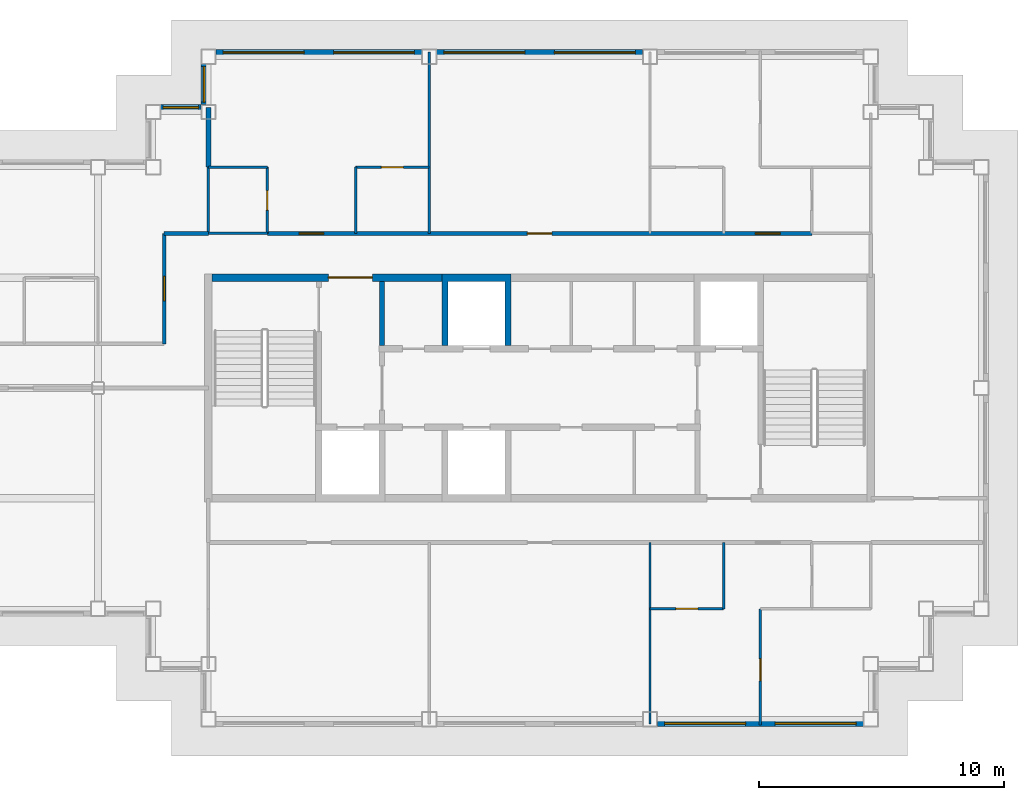
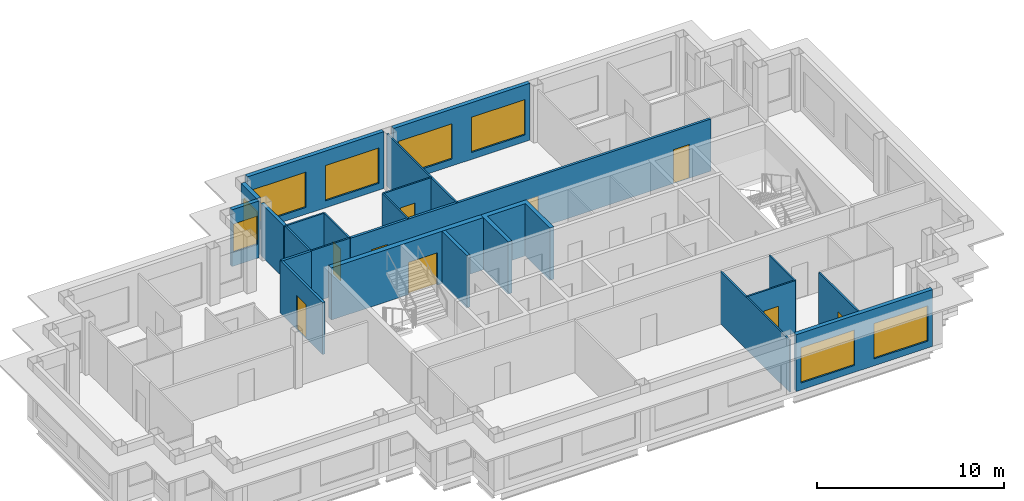
# One storey, part 4 of 11: 23 walls, 9 doors, 8 windows, 17 openings.
"""IFC4 building model written with IfcOpenShell, lengths in metres."""

from ifc_helpers import new_model, si_unit, direction, frame, frame_2d, origin, place, context, subcontext, project, spatial, polyline, rectangle, outline, extrude, material, layer, layer_set, type_object, element, fill, save


model = new_model("IFC4")

# Units and contexts
model_context = context("Model", 3, precision=1e-05, world=origin(), true_north=direction((0.0, 1.0)))
body_context = subcontext(model_context, "Body", "Model", "MODEL_VIEW")
ifc_project = project(units=[si_unit("LENGTHUNIT", "METRE"), si_unit("AREAUNIT", "SQUARE_METRE"), si_unit("VOLUMEUNIT", "CUBIC_METRE"), si_unit("PLANEANGLEUNIT", "RADIAN"), si_unit("MASSUNIT", "GRAM", prefix="KILO")], contexts=[model_context])

# Site, building, storey
site_placement = place(None, origin())
site = spatial("IfcSite", under=ifc_project, at=site_placement, CompositionType="ELEMENT")
building_placement = place(site_placement, origin())
building = spatial("IfcBuilding", under=site, at=building_placement, Name="Caravel Reach Hotel and Residences", CompositionType="ELEMENT")
storey_placement = place(building_placement, frame((0.0, 0.0, 260.10009765625)))
storey = spatial("IfcBuildingStorey", under=building, at=storey_placement, Name="L66", CompositionType="ELEMENT", Elevation=260.10009765625)

# Walls
ifc_material_1 = material(Name="Gypsum board on steel stud", Category="steel")
ifc_layer_1 = layer(ifc_material_1, 0.10009765625)
ifc_layer_set_1 = layer_set([ifc_layer_1], Name="Bathroom pod wall 100 mm")
wall_type_1 = type_object("IfcWallType", Name="Bathroom pod wall 100 mm", PredefinedType="PARTITIONING", material=ifc_layer_set_1)
for number, where, z_axis, x_axis, name in (
    (1, (18.0, 33.300048828125, 0.0), (0.0, 0.0, 1.0), (1.0, 0.0, 0.0), "L66 wall w054"),
    (2, (18.0, 36.0, 0.0), (0.0, 0.0, 1.0), (1.0, 0.0, 0.0), "L66 wall w056"),
):
    element("IfcWall", number, at=place(storey_placement, frame(where, z_axis=z_axis, x_axis=x_axis)), inside=storey, type_object=wall_type_1, Name=name, PredefinedType="PARTITIONING", context=body_context, shape_type="SweptSolid", body=[
        extrude(rectangle(XDim=2.39990234375, YDim=0.10009765625, at=frame_2d((1.199951171875, 0.0))), origin(), (0.0, 0.0, 1.0), 3.39990234375),
    ])
wall_1_placement = place(storey_placement, frame((18.0, 33.301025390625, 0.0), z_axis=(0.0, 0.0, 1.0), x_axis=(0.0, 1.0, 0.0)))
element("IfcWall", 3, at=wall_1_placement, inside=storey, type_object=wall_type_1, Name="L66 wall w058", PredefinedType="PARTITIONING", context=body_context, shape_type="SweptSolid", body=[
    extrude(rectangle(XDim=2.698974609375, YDim=0.10009765625, at=frame_2d((1.349609375, 0.0))), origin(), (0.0, 0.0, 1.0), 3.39990234375),
])

# Wall, opening, door
wall_2_placement = place(storey_placement, frame((20.39990234375, 33.300048828125, 0.0), z_axis=(0.0, 0.0, 1.0), x_axis=(0.0, 1.0, 0.0)))
wall_2 = element("IfcWall", 4, at=wall_2_placement, inside=storey, type_object=wall_type_1, Name="L66 wall w059", PredefinedType="PARTITIONING", context=body_context, shape_type="SweptSolid", body=[
    extrude(rectangle(XDim=2.699951171875, YDim=0.10009765625, at=frame_2d((1.35009765625, 0.0))), origin(), (0.0, 0.0, 1.0), 3.39990234375),
])
opening_1_placement = place(wall_2_placement, frame((0.949951171875, 0.0, 0.0)))
opening_1 = element("IfcOpeningElement", 5, at=opening_1_placement, cuts=wall_2, Name="Opening D66-019", PredefinedType="OPENING", context=body_context, shape_type="SweptSolid", body=[
    extrude(rectangle(XDim=0.800048828125, YDim=2.10009765625, at=frame_2d((0.39990234375, 1.050048828125))), frame((0.0, 0.06005859375, 0.0), z_axis=(0.0, -1.0, 0.0), x_axis=(1.0, 0.0, 0.0)), (0.0, 0.0, 1.0), 0.1201171875),
])
ifc_material_2 = material(Name="Timber and steel door leaf", Category="steel")
door_type_1 = type_object("IfcDoorType", Name="Bathroom door 800 x 2100", OperationType="SINGLE_SWING_LEFT", PredefinedType="DOOR", material=ifc_material_2)
door_1_placement = place(opening_1_placement, origin())
door_1 = element("IfcDoor", 6, at=door_1_placement, inside=storey, type_object=door_type_1, Name="door D66-019", OperationType="SINGLE_SWING_RIGHT", OverallHeight=2.10009765625, OverallWidth=0.800048828125, PredefinedType="DOOR", context=body_context, shape_type="SweptSolid", body=[
    extrude(rectangle(XDim=0.800048828125, YDim=2.10009765625, at=frame_2d((0.39990234375, 1.050048828125))), frame((0.0, 0.02490234375, 0.0), z_axis=(0.0, -1.0, 0.0), x_axis=(1.0, 0.0, 0.0)), (0.0, 0.0, 1.0), 0.050048828125),
])
fill(opening_1, door_1)

# Wall
ifc_material_3 = material(Name="Autoclaved aerated block wall")
ifc_layer_2 = layer(ifc_material_3, 0.199951171875)
ifc_layer_set_2 = layer_set([ifc_layer_2], Name="Compartment wall 200 mm EI 120")
wall_type_2 = type_object("IfcWallType", Name="Compartment wall 200 mm EI 120", PredefinedType="PARTITIONING", material=ifc_layer_set_2)
wall_3_placement = place(storey_placement, frame((25.071533203125, 28.72509765625, 0.0), z_axis=(0.0, 0.0, 1.0), x_axis=(0.0, 1.0, 0.0)))
element("IfcWall", 7, at=wall_3_placement, inside=storey, type_object=wall_type_2, Name="L66 store partition", PredefinedType="PARTITIONING", context=body_context, shape_type="SweptSolid", body=[
    extrude(rectangle(XDim=2.625, YDim=0.199951171875, at=frame_2d((1.3125, 0.0))), origin(), (0.0, 0.0, 1.0), 3.39990234375),
])

# Wall, opening, door
ifc_material_4 = material(Name="Concrete C60", Category="concrete")
ifc_layer_3 = layer(ifc_material_4, 0.300048828125)
ifc_layer_set_3 = layer_set([ifc_layer_3], Name="Core wall 300 mm EI 120")
wall_type_3 = type_object("IfcWallType", Name="Core wall 300 mm EI 120", PredefinedType="SHEAR", material=ifc_layer_set_3)
wall_4_placement = place(storey_placement, frame((18.14990234375, 31.5, 0.0), z_axis=(0.0, 0.0, 1.0), x_axis=(1.0, 0.0, 0.0)))
wall_4 = element("IfcWall", 8, at=wall_4_placement, inside=storey, type_object=wall_type_3, Name="L66 core wall N1", PredefinedType="SHEAR", context=body_context, shape_type="SweptSolid", body=[
    extrude(rectangle(XDim=9.367919921875, YDim=0.300048828125, at=frame_2d((4.68408203125, 0.0))), origin(), (0.0, 0.0, 1.0), 3.39990234375),
])
opening_2_placement = place(wall_4_placement, frame((4.735595703125, 0.0, 0.0)))
opening_2 = element("IfcOpeningElement", 9, at=opening_2_placement, cuts=wall_4, Name="Opening D66-016", PredefinedType="OPENING", context=body_context, shape_type="SweptSolid", body=[
    extrude(rectangle(XDim=1.800048828125, YDim=2.10009765625, at=frame_2d((0.89990234375, 1.050048828125))), frame((0.0, 0.159912109375, 0.0), z_axis=(0.0, -1.0, 0.0), x_axis=(1.0, 0.0, 0.0)), (0.0, 0.0, 1.0), 0.320068359375),
])
ifc_material_5 = material(Name="Steel fire door leaf", Category="steel")
door_type_2 = type_object("IfcDoorType", Name="Fire lobby door pair 1800 x 2100 EI 90", OperationType="DOUBLE_DOOR_SINGLE_SWING", PredefinedType="DOOR", material=ifc_material_5)
door_2_placement = place(opening_2_placement, origin())
door_2 = element("IfcDoor", 10, at=door_2_placement, inside=storey, type_object=door_type_2, Name="lobby N door pair to corridor", OperationType="DOUBLE_DOOR_SINGLE_SWING", OverallHeight=2.10009765625, OverallWidth=1.800048828125, PredefinedType="DOOR", context=body_context, shape_type="SweptSolid", body=[
    extrude(rectangle(XDim=1.800048828125, YDim=2.10009765625, at=frame_2d((0.89990234375, 1.050048828125))), frame((0.0, 0.02490234375, 0.0), z_axis=(0.0, -1.0, 0.0), x_axis=(1.0, 0.0, 0.0)), (0.0, 0.0, 1.0), 0.050048828125),
])
fill(opening_2, door_2)

# Wall, openings, doors
ifc_material_6 = material(Name="Gypsum board on steel stud, fire-rated", Category="steel")
ifc_layer_4 = layer(ifc_material_6, 0.14990234375)
ifc_layer_set_4 = layer_set([ifc_layer_4], Name="Corridor wall 150 mm EI 60")
wall_type_4 = type_object("IfcWallType", Name="Corridor wall 150 mm EI 60", PredefinedType="PARTITIONING", material=ifc_layer_set_4)
wall_5_placement = place(storey_placement, frame((20.39990234375, 33.300048828125, 0.0), z_axis=(0.0, 0.0, 1.0), x_axis=(1.0, 0.0, 0.0)))
wall_5 = element("IfcWall", 11, at=wall_5_placement, inside=storey, type_object=wall_type_4, Name="L66 wall w011", PredefinedType="PARTITIONING", context=body_context, shape_type="SweptSolid", body=[
    extrude(rectangle(XDim=22.2001953125, YDim=0.14990234375, at=frame_2d((11.10009765625, 0.0))), origin(), (0.0, 0.0, 1.0), 3.39990234375),
])
opening_3_placement = place(wall_5_placement, frame((1.300048828125, 0.0, 0.0)))
opening_3 = element("IfcOpeningElement", 12, at=opening_3_placement, cuts=wall_5, Name="Opening D66-018", PredefinedType="OPENING", context=body_context, shape_type="SweptSolid", body=[
    extrude(rectangle(XDim=1.0, YDim=2.199951171875, at=frame_2d((0.5, 1.10009765625))), frame((0.0, 0.0849609375, 0.0), z_axis=(0.0, -1.0, 0.0), x_axis=(1.0, 0.0, 0.0)), (0.0, 0.0, 1.0), 0.169921875),
])
opening_4_placement = place(wall_5_placement, frame((10.60009765625, 0.0, 0.0)))
opening_4 = element("IfcOpeningElement", 13, at=opening_4_placement, cuts=wall_5, Name="Opening D66-021", PredefinedType="OPENING", context=body_context, shape_type="SweptSolid", body=[
    extrude(rectangle(XDim=1.0, YDim=2.10009765625, at=frame_2d((0.5, 1.050048828125))), frame((0.0, 0.0849609375, 0.0), z_axis=(0.0, -1.0, 0.0), x_axis=(1.0, 0.0, 0.0)), (0.0, 0.0, 1.0), 0.169921875),
])
opening_5_placement = place(wall_5_placement, frame((19.900146484375, 0.0, 0.0)))
opening_5 = element("IfcOpeningElement", 14, at=opening_5_placement, cuts=wall_5, Name="Opening D66-022", PredefinedType="OPENING", context=body_context, shape_type="SweptSolid", body=[
    extrude(rectangle(XDim=1.0, YDim=2.199951171875, at=frame_2d((0.5, 1.10009765625))), frame((0.0, 0.0849609375, 0.0), z_axis=(0.0, -1.0, 0.0), x_axis=(1.0, 0.0, 0.0)), (0.0, 0.0, 1.0), 0.169921875),
])
ifc_material_7 = material(Name="Steel fire door leaf", Category="steel")
door_type_3 = type_object("IfcDoorType", Name="Fire door 1000 x 2100 EI 60", OperationType="SINGLE_SWING_LEFT", PredefinedType="DOOR", material=ifc_material_7)
door_3_placement = place(opening_4_placement, origin())
door_3 = element("IfcDoor", 15, at=door_3_placement, inside=storey, type_object=door_type_3, Name="door D66-021", OperationType="SINGLE_SWING_LEFT", OverallHeight=2.10009765625, OverallWidth=1.0, PredefinedType="DOOR", context=body_context, shape_type="SweptSolid", body=[
    extrude(rectangle(XDim=1.0, YDim=2.10009765625, at=frame_2d((0.5, 1.050048828125))), frame((0.0, 0.02490234375, 0.0), z_axis=(0.0, -1.0, 0.0), x_axis=(1.0, 0.0, 0.0)), (0.0, 0.0, 1.0), 0.050048828125),
])
fill(opening_4, door_3)
ifc_material_8 = material(Name="Steel fire door leaf", Category="steel")
door_type_4 = type_object("IfcDoorType", Name="Flat entrance door 1000 x 2200 EI 60", OperationType="SINGLE_SWING_LEFT", PredefinedType="DOOR", material=ifc_material_8)
door_4_placement = place(opening_3_placement, origin())
door_4 = element("IfcDoor", 16, at=door_4_placement, inside=storey, type_object=door_type_4, Name="door D66-018", OperationType="SINGLE_SWING_LEFT", OverallHeight=2.199951171875, OverallWidth=1.0, PredefinedType="DOOR", context=body_context, shape_type="SweptSolid", body=[
    extrude(rectangle(XDim=1.0, YDim=2.199951171875, at=frame_2d((0.5, 1.10009765625))), frame((0.0, 0.02490234375, 0.0), z_axis=(0.0, -1.0, 0.0), x_axis=(1.0, 0.0, 0.0)), (0.0, 0.0, 1.0), 0.050048828125),
])
fill(opening_3, door_4)
door_5_placement = place(opening_5_placement, origin())
door_5 = element("IfcDoor", 17, at=door_5_placement, inside=storey, type_object=door_type_4, Name="door D66-022", OperationType="SINGLE_SWING_RIGHT", OverallHeight=2.199951171875, OverallWidth=1.0, PredefinedType="DOOR", context=body_context, shape_type="SweptSolid", body=[
    extrude(rectangle(XDim=1.0, YDim=2.199951171875, at=frame_2d((0.5, 1.10009765625))), frame((0.0, 0.02490234375, 0.0), z_axis=(0.0, -1.0, 0.0), x_axis=(1.0, 0.0, 0.0)), (0.0, 0.0, 1.0), 0.050048828125),
])
fill(opening_5, door_5)

# Wall
wall_6_placement = place(storey_placement, frame((16.199951171875, 33.300048828125, 0.0), z_axis=(0.0, 0.0, 1.0), x_axis=(1.0, 0.0, 0.0)))
element("IfcWall", 18, at=wall_6_placement, inside=storey, type_object=wall_type_4, Name="L66 wall w016", PredefinedType="PARTITIONING", context=body_context, shape_type="SweptSolid", body=[
    extrude(rectangle(XDim=1.799072265625, YDim=0.14990234375, at=frame_2d((0.8994140625, 0.0))), origin(), (0.0, 0.0, 1.0), 3.39990234375),
])

# Wall, opening, door
wall_7_placement = place(storey_placement, frame((16.199951171875, 28.801025390625, 0.0), z_axis=(0.0, 0.0, 1.0), x_axis=(0.0, 1.0, 0.0)))
wall_7 = element("IfcWall", 19, at=wall_7_placement, inside=storey, type_object=wall_type_4, Name="L66 wall w017", PredefinedType="PARTITIONING", context=body_context, shape_type="SweptSolid", body=[
    extrude(rectangle(XDim=4.4990234375, YDim=0.14990234375, at=frame_2d((2.24951171875, 0.0))), origin(), (0.0, 0.0, 1.0), 3.39990234375),
])
opening_6_placement = place(wall_7_placement, frame((1.74951171875, 0.0, 0.0)))
opening_6 = element("IfcOpeningElement", 20, at=opening_6_placement, cuts=wall_7, Name="Opening D66-026", PredefinedType="OPENING", context=body_context, shape_type="SweptSolid", body=[
    extrude(rectangle(XDim=1.0, YDim=2.199951171875, at=frame_2d((0.5, 1.10009765625))), frame((0.0, 0.0849609375, 0.0), z_axis=(0.0, -1.0, 0.0), x_axis=(1.0, 0.0, 0.0)), (0.0, 0.0, 1.0), 0.169921875),
])
door_6_placement = place(opening_6_placement, origin())
door_6 = element("IfcDoor", 21, at=door_6_placement, inside=storey, type_object=door_type_4, Name="door D66-026", OperationType="SINGLE_SWING_LEFT", OverallHeight=2.199951171875, OverallWidth=1.0, PredefinedType="DOOR", context=body_context, shape_type="SweptSolid", body=[
    extrude(rectangle(XDim=1.0, YDim=2.199951171875, at=frame_2d((0.5, 1.10009765625))), frame((0.0, 0.02490234375, 0.0), z_axis=(0.0, -1.0, 0.0), x_axis=(1.0, 0.0, 0.0)), (0.0, 0.0, 1.0), 0.050048828125),
])
fill(opening_6, door_6)

# Wall, openings, windows
ifc_material_9 = material(Name="Insulated rainscreen wall, aluminium cladding", Category="aluminium")
ifc_layer_5 = layer(ifc_material_9, 0.25)
ifc_layer_set_5 = layer_set([ifc_layer_5], Name="EW1 Tower rainscreen wall")
wall_type_5 = type_object("IfcWallType", Name="EW1 Tower rainscreen wall", PredefinedType="SOLIDWALL", material=ifc_layer_set_5)
wall_8_placement = place(storey_placement, frame((36.300048828125, 13.324951171875, 0.0), z_axis=(0.0, 0.0, 1.0), x_axis=(1.0, 0.0, 0.0)))
wall_8 = element("IfcWall", 22, at=wall_8_placement, inside=storey, type_object=wall_type_5, Name="External wall L66 S4.3", PredefinedType="SOLIDWALL", context=body_context, shape_type="SweptSolid", body=[
    extrude(rectangle(XDim=8.39990234375, YDim=0.25, at=frame_2d((4.199951171875, 0.0))), origin(), (0.0, 0.0, 1.0), 3.699951171875),
])
opening_7_placement = place(wall_8_placement, frame((0.300048828125, 0.0, 0.449951171875)))
opening_7 = element("IfcOpeningElement", 23, at=opening_7_placement, cuts=wall_8, Name="Opening WN15", PredefinedType="OPENING", context=body_context, shape_type="SweptSolid", body=[
    extrude(rectangle(XDim=3.300048828125, YDim=2.300048828125, at=frame_2d((1.64990234375, 1.14990234375))), frame((0.0, 0.135009765625, 0.0), z_axis=(0.0, -1.0, 0.0), x_axis=(1.0, 0.0, 0.0)), (0.0, 0.0, 1.0), 0.27001953125),
])
opening_8_placement = place(wall_8_placement, frame((4.800048828125, 0.0, 0.449951171875)))
opening_8 = element("IfcOpeningElement", 24, at=opening_8_placement, cuts=wall_8, Name="Opening WN15", PredefinedType="OPENING", context=body_context, shape_type="SweptSolid", body=[
    extrude(rectangle(XDim=3.300048828125, YDim=2.300048828125, at=frame_2d((1.64990234375, 1.14990234375))), frame((0.0, 0.135009765625, 0.0), z_axis=(0.0, -1.0, 0.0), x_axis=(1.0, 0.0, 0.0)), (0.0, 0.0, 1.0), 0.27001953125),
])
ifc_material_10 = material(Name="Dark low-e glazing in black aluminium frame", Category="aluminium")
window_type_1 = type_object("IfcWindowType", Name="Residence living window 3300 x 2300", PartitioningType="SINGLE_PANEL", PredefinedType="WINDOW", material=ifc_material_10)
window_1_placement = place(opening_7_placement, origin())
window_1 = element("IfcWindow", 25, at=window_1_placement, inside=storey, type_object=window_type_1, Name="Window L66 S4.3.1", OverallHeight=2.300048828125, OverallWidth=3.300048828125, PartitioningType="SINGLE_PANEL", PredefinedType="WINDOW", context=body_context, shape_type="SweptSolid", body=[
    extrude(rectangle(XDim=3.300048828125, YDim=2.300048828125, at=frame_2d((1.64990234375, 1.14990234375))), frame((0.0, 0.030029296875, 0.0), z_axis=(0.0, -1.0, 0.0), x_axis=(1.0, 0.0, 0.0)), (0.0, 0.0, 1.0), 0.06005859375),
])
fill(opening_7, window_1)
window_2_placement = place(opening_8_placement, origin())
window_2 = element("IfcWindow", 26, at=window_2_placement, inside=storey, type_object=window_type_1, Name="Window L66 S4.3.2", OverallHeight=2.300048828125, OverallWidth=3.300048828125, PartitioningType="SINGLE_PANEL", PredefinedType="WINDOW", context=body_context, shape_type="SweptSolid", body=[
    extrude(rectangle(XDim=3.300048828125, YDim=2.300048828125, at=frame_2d((1.64990234375, 1.14990234375))), frame((0.0, 0.030029296875, 0.0), z_axis=(0.0, -1.0, 0.0), x_axis=(1.0, 0.0, 0.0)), (0.0, 0.0, 1.0), 0.06005859375),
])
fill(opening_8, window_2)

wall_9_placement = place(storey_placement, frame((35.699951171875, 40.675048828125, 0.0), z_axis=(0.0, 0.0, 1.0), x_axis=(-1.0, 0.0, 0.0)))
wall_9 = element("IfcWall", 27, at=wall_9_placement, inside=storey, type_object=wall_type_5, Name="External wall L66 N14.2", PredefinedType="SOLIDWALL", context=body_context, shape_type="SweptSolid", body=[
    extrude(rectangle(XDim=8.39990234375, YDim=0.25, at=frame_2d((4.199951171875, 0.0))), origin(), (0.0, 0.0, 1.0), 3.699951171875),
])
opening_9_placement = place(wall_9_placement, frame((0.300048828125, 0.0, 0.449951171875)))
opening_9 = element("IfcOpeningElement", 28, at=opening_9_placement, cuts=wall_9, Name="Opening WN15", PredefinedType="OPENING", context=body_context, shape_type="SweptSolid", body=[
    extrude(rectangle(XDim=3.300048828125, YDim=2.300048828125, at=frame_2d((1.64990234375, 1.14990234375))), frame((0.0, 0.135009765625, 0.0), z_axis=(0.0, -1.0, 0.0), x_axis=(1.0, 0.0, 0.0)), (0.0, 0.0, 1.0), 0.27001953125),
])
opening_10_placement = place(wall_9_placement, frame((4.800048828125, 0.0, 0.449951171875)))
opening_10 = element("IfcOpeningElement", 29, at=opening_10_placement, cuts=wall_9, Name="Opening WN15", PredefinedType="OPENING", context=body_context, shape_type="SweptSolid", body=[
    extrude(rectangle(XDim=3.300048828125, YDim=2.300048828125, at=frame_2d((1.64990234375, 1.14990234375))), frame((0.0, 0.135009765625, 0.0), z_axis=(0.0, -1.0, 0.0), x_axis=(1.0, 0.0, 0.0)), (0.0, 0.0, 1.0), 0.27001953125),
])
window_3_placement = place(opening_9_placement, origin())
window_3 = element("IfcWindow", 30, at=window_3_placement, inside=storey, type_object=window_type_1, Name="Window L66 N14.2.1", OverallHeight=2.300048828125, OverallWidth=3.300048828125, PartitioningType="SINGLE_PANEL", PredefinedType="WINDOW", context=body_context, shape_type="SweptSolid", body=[
    extrude(rectangle(XDim=3.300048828125, YDim=2.300048828125, at=frame_2d((1.64990234375, 1.14990234375))), frame((0.0, 0.030029296875, 0.0), z_axis=(0.0, -1.0, 0.0), x_axis=(1.0, 0.0, 0.0)), (0.0, 0.0, 1.0), 0.06005859375),
])
fill(opening_9, window_3)
window_4_placement = place(opening_10_placement, origin())
window_4 = element("IfcWindow", 31, at=window_4_placement, inside=storey, type_object=window_type_1, Name="Window L66 N14.2.2", OverallHeight=2.300048828125, OverallWidth=3.300048828125, PartitioningType="SINGLE_PANEL", PredefinedType="WINDOW", context=body_context, shape_type="SweptSolid", body=[
    extrude(rectangle(XDim=3.300048828125, YDim=2.300048828125, at=frame_2d((1.64990234375, 1.14990234375))), frame((0.0, 0.030029296875, 0.0), z_axis=(0.0, -1.0, 0.0), x_axis=(1.0, 0.0, 0.0)), (0.0, 0.0, 1.0), 0.06005859375),
])
fill(opening_10, window_4)

wall_10_placement = place(storey_placement, frame((26.699951171875, 40.675048828125, 0.0), z_axis=(0.0, 0.0, 1.0), x_axis=(-1.0, 0.0, 0.0)))
wall_10 = element("IfcWall", 32, at=wall_10_placement, inside=storey, type_object=wall_type_5, Name="External wall L66 N14.3", PredefinedType="SOLIDWALL", context=body_context, shape_type="SweptSolid", body=[
    extrude(rectangle(XDim=8.39990234375, YDim=0.25, at=frame_2d((4.199951171875, 0.0))), origin(), (0.0, 0.0, 1.0), 3.699951171875),
])
opening_11_placement = place(wall_10_placement, frame((0.300048828125, 0.0, 0.449951171875)))
opening_11 = element("IfcOpeningElement", 33, at=opening_11_placement, cuts=wall_10, Name="Opening WN15", PredefinedType="OPENING", context=body_context, shape_type="SweptSolid", body=[
    extrude(rectangle(XDim=3.300048828125, YDim=2.300048828125, at=frame_2d((1.64990234375, 1.14990234375))), frame((0.0, 0.135009765625, 0.0), z_axis=(0.0, -1.0, 0.0), x_axis=(1.0, 0.0, 0.0)), (0.0, 0.0, 1.0), 0.27001953125),
])
opening_12_placement = place(wall_10_placement, frame((4.800048828125, 0.0, 0.449951171875)))
opening_12 = element("IfcOpeningElement", 34, at=opening_12_placement, cuts=wall_10, Name="Opening WN15", PredefinedType="OPENING", context=body_context, shape_type="SweptSolid", body=[
    extrude(rectangle(XDim=3.300048828125, YDim=2.300048828125, at=frame_2d((1.64990234375, 1.14990234375))), frame((0.0, 0.135009765625, 0.0), z_axis=(0.0, -1.0, 0.0), x_axis=(1.0, 0.0, 0.0)), (0.0, 0.0, 1.0), 0.27001953125),
])
window_5_placement = place(opening_11_placement, origin())
window_5 = element("IfcWindow", 35, at=window_5_placement, inside=storey, type_object=window_type_1, Name="Window L66 N14.3.1", OverallHeight=2.300048828125, OverallWidth=3.300048828125, PartitioningType="SINGLE_PANEL", PredefinedType="WINDOW", context=body_context, shape_type="SweptSolid", body=[
    extrude(rectangle(XDim=3.300048828125, YDim=2.300048828125, at=frame_2d((1.64990234375, 1.14990234375))), frame((0.0, 0.030029296875, 0.0), z_axis=(0.0, -1.0, 0.0), x_axis=(1.0, 0.0, 0.0)), (0.0, 0.0, 1.0), 0.06005859375),
])
fill(opening_11, window_5)
window_6_placement = place(opening_12_placement, origin())
window_6 = element("IfcWindow", 36, at=window_6_placement, inside=storey, type_object=window_type_1, Name="Window L66 N14.3.2", OverallHeight=2.300048828125, OverallWidth=3.300048828125, PartitioningType="SINGLE_PANEL", PredefinedType="WINDOW", context=body_context, shape_type="SweptSolid", body=[
    extrude(rectangle(XDim=3.300048828125, YDim=2.300048828125, at=frame_2d((1.64990234375, 1.14990234375))), frame((0.0, 0.030029296875, 0.0), z_axis=(0.0, -1.0, 0.0), x_axis=(1.0, 0.0, 0.0)), (0.0, 0.0, 1.0), 0.06005859375),
])
fill(opening_12, window_6)

# Wall, opening, window
wall_11_placement = place(storey_placement, frame((17.824951171875, 40.199951171875, 0.0), z_axis=(0.0, 0.0, 1.0), x_axis=(0.0, -1.0, 0.0)))
wall_11 = element("IfcWall", 37, at=wall_11_placement, inside=storey, type_object=wall_type_5, Name="External wall L66 W15.1", PredefinedType="SOLIDWALL", context=body_context, shape_type="SweptSolid", body=[
    extrude(rectangle(XDim=1.64990234375, YDim=0.25, at=frame_2d((0.824951171875, 0.0))), origin(), (0.0, 0.0, 1.0), 3.699951171875),
])
opening_13_placement = place(wall_11_placement, frame((0.10009765625, 0.0, 0.89990234375)))
opening_13 = element("IfcOpeningElement", 38, at=opening_13_placement, cuts=wall_11, Name="Opening WN25", PredefinedType="OPENING", context=body_context, shape_type="SweptSolid", body=[
    extrude(rectangle(XDim=1.449951171875, YDim=1.85009765625, at=frame_2d((0.72509765625, 0.925048828125))), frame((0.0, 0.135009765625, 0.0), z_axis=(0.0, -1.0, 0.0), x_axis=(1.0, 0.0, 0.0)), (0.0, 0.0, 1.0), 0.27001953125),
])
ifc_material_11 = material(Name="Dark low-e glazing in black aluminium frame", Category="aluminium")
window_type_2 = type_object("IfcWindowType", Name="Residence bedroom window 1450 x 1850", PartitioningType="SINGLE_PANEL", PredefinedType="WINDOW", material=ifc_material_11)
window_7_placement = place(opening_13_placement, origin())
window_7 = element("IfcWindow", 39, at=window_7_placement, inside=storey, type_object=window_type_2, Name="Window L66 W15.1.1", OverallHeight=1.85009765625, OverallWidth=1.449951171875, PartitioningType="SINGLE_PANEL", PredefinedType="WINDOW", context=body_context, shape_type="SweptSolid", body=[
    extrude(rectangle(XDim=1.449951171875, YDim=1.85009765625, at=frame_2d((0.72509765625, 0.925048828125))), frame((0.0, 0.030029296875, 0.0), z_axis=(0.0, -1.0, 0.0), x_axis=(1.0, 0.0, 0.0)), (0.0, 0.0, 1.0), 0.06005859375),
])
fill(opening_13, window_7)

wall_12_placement = place(storey_placement, frame((17.699951171875, 38.425048828125, 0.0), z_axis=(0.0, 0.0, 1.0), x_axis=(-1.0, 0.0, 0.0)))
wall_12 = element("IfcWall", 40, at=wall_12_placement, inside=storey, type_object=wall_type_5, Name="External wall L66 N16.1", PredefinedType="SOLIDWALL", context=body_context, shape_type="SweptSolid", body=[
    extrude(rectangle(XDim=1.64990234375, YDim=0.25, at=frame_2d((0.824951171875, 0.0))), origin(), (0.0, 0.0, 1.0), 3.699951171875),
])
opening_14_placement = place(wall_12_placement, frame((0.10009765625, 0.0, 0.89990234375)))
opening_14 = element("IfcOpeningElement", 41, at=opening_14_placement, cuts=wall_12, Name="Opening WN25", PredefinedType="OPENING", context=body_context, shape_type="SweptSolid", body=[
    extrude(rectangle(XDim=1.449951171875, YDim=1.85009765625, at=frame_2d((0.72509765625, 0.925048828125))), frame((0.0, 0.135009765625, 0.0), z_axis=(0.0, -1.0, 0.0), x_axis=(1.0, 0.0, 0.0)), (0.0, 0.0, 1.0), 0.27001953125),
])
window_8_placement = place(opening_14_placement, origin())
window_8 = element("IfcWindow", 42, at=window_8_placement, inside=storey, type_object=window_type_2, Name="Window L66 N16.1.1", OverallHeight=1.85009765625, OverallWidth=1.449951171875, PartitioningType="SINGLE_PANEL", PredefinedType="WINDOW", context=body_context, shape_type="SweptSolid", body=[
    extrude(rectangle(XDim=1.449951171875, YDim=1.85009765625, at=frame_2d((0.72509765625, 0.925048828125))), frame((0.0, 0.030029296875, 0.0), z_axis=(0.0, -1.0, 0.0), x_axis=(1.0, 0.0, 0.0)), (0.0, 0.0, 1.0), 0.06005859375),
])
fill(opening_14, window_8)

# Wall, opening, door
ifc_material_12 = material(Name="Gypsum board on steel stud", Category="steel")
ifc_layer_6 = layer(ifc_material_12, 0.10009765625)
ifc_layer_set_6 = layer_set([ifc_layer_6], Name="Partition 100 mm")
wall_type_6 = type_object("IfcWallType", Name="Partition 100 mm", PredefinedType="PARTITIONING", material=ifc_layer_set_6)
wall_13_placement = place(storey_placement, frame((36.0, 18.0, 0.0), z_axis=(0.0, 0.0, 1.0), x_axis=(1.0, 0.0, 0.0)))
wall_13 = element("IfcWall", 43, at=wall_13_placement, inside=storey, type_object=wall_type_6, Name="L66 wall w022", PredefinedType="PARTITIONING", context=body_context, shape_type="SweptSolid", body=[
    extrude(rectangle(XDim=3.0, YDim=0.10009765625, at=frame_2d((1.5, 0.0))), origin(), (0.0, 0.0, 1.0), 3.39990234375),
])
opening_15_placement = place(wall_13_placement, frame((1.050048828125, 0.0, 0.0)))
opening_15 = element("IfcOpeningElement", 44, at=opening_15_placement, cuts=wall_13, Name="Opening D66-034", PredefinedType="OPENING", context=body_context, shape_type="SweptSolid", body=[
    extrude(rectangle(XDim=0.89990234375, YDim=2.10009765625, at=frame_2d((0.449951171875, 1.050048828125))), frame((0.0, 0.06005859375, 0.0), z_axis=(0.0, -1.0, 0.0), x_axis=(1.0, 0.0, 0.0)), (0.0, 0.0, 1.0), 0.1201171875),
])
ifc_material_13 = material(Name="Timber and steel door leaf", Category="steel")
door_type_5 = type_object("IfcDoorType", Name="Door 900 x 2100 timber", OperationType="SINGLE_SWING_LEFT", PredefinedType="DOOR", material=ifc_material_13)
door_7_placement = place(opening_15_placement, origin())
door_7 = element("IfcDoor", 45, at=door_7_placement, inside=storey, type_object=door_type_5, Name="door D66-034", OperationType="SINGLE_SWING_RIGHT", OverallHeight=2.10009765625, OverallWidth=0.89990234375, PredefinedType="DOOR", context=body_context, shape_type="SweptSolid", body=[
    extrude(rectangle(XDim=0.89990234375, YDim=2.10009765625, at=frame_2d((0.449951171875, 1.050048828125))), frame((0.0, 0.02490234375, 0.0), z_axis=(0.0, -1.0, 0.0), x_axis=(1.0, 0.0, 0.0)), (0.0, 0.0, 1.0), 0.050048828125),
])
fill(opening_15, door_7)

wall_14_placement = place(storey_placement, frame((24.0, 36.0, 0.0), z_axis=(0.0, 0.0, 1.0), x_axis=(1.0, 0.0, 0.0)))
wall_14 = element("IfcWall", 46, at=wall_14_placement, inside=storey, type_object=wall_type_6, Name="L66 wall w026", PredefinedType="PARTITIONING", context=body_context, shape_type="SweptSolid", body=[
    extrude(rectangle(XDim=3.0, YDim=0.10009765625, at=frame_2d((1.5, 0.0))), origin(), (0.0, 0.0, 1.0), 3.39990234375),
])
opening_16_placement = place(wall_14_placement, frame((1.050048828125, 0.0, 0.0)))
opening_16 = element("IfcOpeningElement", 47, at=opening_16_placement, cuts=wall_14, Name="Opening D66-020", PredefinedType="OPENING", context=body_context, shape_type="SweptSolid", body=[
    extrude(rectangle(XDim=0.89990234375, YDim=2.10009765625, at=frame_2d((0.449951171875, 1.050048828125))), frame((0.0, 0.06005859375, 0.0), z_axis=(0.0, -1.0, 0.0), x_axis=(1.0, 0.0, 0.0)), (0.0, 0.0, 1.0), 0.1201171875),
])
door_8_placement = place(opening_16_placement, origin())
door_8 = element("IfcDoor", 48, at=door_8_placement, inside=storey, type_object=door_type_5, Name="door D66-020", OperationType="SINGLE_SWING_RIGHT", OverallHeight=2.10009765625, OverallWidth=0.89990234375, PredefinedType="DOOR", context=body_context, shape_type="SweptSolid", body=[
    extrude(rectangle(XDim=0.89990234375, YDim=2.10009765625, at=frame_2d((0.449951171875, 1.050048828125))), frame((0.0, 0.02490234375, 0.0), z_axis=(0.0, -1.0, 0.0), x_axis=(1.0, 0.0, 0.0)), (0.0, 0.0, 1.0), 0.050048828125),
])
fill(opening_16, door_8)

# Walls
wall_15_placement = place(storey_placement, frame((24.0, 33.300048828125, 0.0), z_axis=(0.0, 0.0, 1.0), x_axis=(0.0, 1.0, 0.0)))
element("IfcWall", 49, at=wall_15_placement, inside=storey, type_object=wall_type_6, Name="L66 wall w033", PredefinedType="PARTITIONING", context=body_context, shape_type="SweptSolid", body=[
    extrude(rectangle(XDim=2.699951171875, YDim=0.10009765625, at=frame_2d((1.35009765625, 0.0))), origin(), (0.0, 0.0, 1.0), 3.39990234375),
])
for number, where, z_axis, x_axis, name in (
    (50, (27.0, 33.300048828125, 0.0), (0.0, 0.0, 1.0), (0.0, 1.0, 0.0), "L66 wall w035"),
    (51, (36.0, 13.31005859375, 0.0), (0.0, 0.0, 1.0), (0.0, 1.0, 0.0), "L66 wall w039"),
):
    element("IfcWall", number, at=place(storey_placement, frame(where, z_axis=z_axis, x_axis=x_axis)), inside=storey, type_object=wall_type_6, Name=name, PredefinedType="PARTITIONING", context=body_context, shape_type="SweptSolid", body=[
        extrude(rectangle(XDim=7.389892578125, YDim=0.10009765625, at=frame_2d((3.69482421875, 0.0))), origin(), (0.0, 0.0, 1.0), 3.39990234375),
    ])
wall_16_placement = place(storey_placement, frame((39.0, 18.0, 0.0), z_axis=(0.0, 0.0, 1.0), x_axis=(0.0, 1.0, 0.0)))
element("IfcWall", 52, at=wall_16_placement, inside=storey, type_object=wall_type_6, Name="L66 wall w042", PredefinedType="PARTITIONING", context=body_context, shape_type="SweptSolid", body=[
    extrude(rectangle(XDim=2.699951171875, YDim=0.10009765625, at=frame_2d((1.35009765625, 0.0))), origin(), (0.0, 0.0, 1.0), 3.39990234375),
])

# Wall, opening, door
wall_17_placement = place(storey_placement, frame((40.5, 13.260009765625, 0.0), z_axis=(0.0, 0.0, 1.0), x_axis=(0.0, 1.0, 0.0)))
wall_17 = element("IfcWall", 53, at=wall_17_placement, inside=storey, type_object=wall_type_6, Name="L66 wall w046", PredefinedType="PARTITIONING", context=body_context, shape_type="SweptSolid", body=[
    extrude(rectangle(XDim=4.739990234375, YDim=0.10009765625, at=frame_2d((2.3701171875, 0.0))), origin(), (0.0, 0.0, 1.0), 3.39990234375),
])
opening_17_placement = place(wall_17_placement, frame((1.800048828125, 0.0, 0.0)))
opening_17 = element("IfcOpeningElement", 54, at=opening_17_placement, cuts=wall_17, Name="Opening D66-036", PredefinedType="OPENING", context=body_context, shape_type="SweptSolid", body=[
    extrude(rectangle(XDim=0.89990234375, YDim=2.10009765625, at=frame_2d((0.449951171875, 1.050048828125))), frame((0.0, 0.06005859375, 0.0), z_axis=(0.0, -1.0, 0.0), x_axis=(1.0, 0.0, 0.0)), (0.0, 0.0, 1.0), 0.1201171875),
])
door_9_placement = place(opening_17_placement, origin())
door_9 = element("IfcDoor", 55, at=door_9_placement, inside=storey, type_object=door_type_5, Name="door D66-036", OperationType="SINGLE_SWING_LEFT", OverallHeight=2.10009765625, OverallWidth=0.89990234375, PredefinedType="DOOR", context=body_context, shape_type="SweptSolid", body=[
    extrude(rectangle(XDim=0.89990234375, YDim=2.10009765625, at=frame_2d((0.449951171875, 1.050048828125))), frame((0.0, 0.02490234375, 0.0), z_axis=(0.0, -1.0, 0.0), x_axis=(1.0, 0.0, 0.0)), (0.0, 0.0, 1.0), 0.050048828125),
])
fill(opening_17, door_9)

# Walls
ifc_material_14 = material(Name="Autoclaved aerated block wall")
ifc_layer_7 = layer(ifc_material_14, 0.199951171875)
ifc_layer_set_7 = layer_set([ifc_layer_7], Name="Party wall 200 mm EI 60")
wall_type_7 = type_object("IfcWallType", Name="Party wall 200 mm EI 60", PredefinedType="PARTITIONING", material=ifc_layer_set_7)
wall_18_placement = place(storey_placement, frame((18.0, 36.0, 0.0), z_axis=(0.0, 0.0, 1.0), x_axis=(0.0, 1.0, 0.0)))
element("IfcWall", 56, at=wall_18_placement, inside=storey, type_object=wall_type_7, Name="L66 wall w049", PredefinedType="PARTITIONING", context=body_context, shape_type="SweptSolid", body=[
    extrude(rectangle(XDim=2.43994140625, YDim=0.199951171875, at=frame_2d((1.219970703125, 0.0))), origin(), (0.0, 0.0, 1.0), 3.39990234375),
])
ifc_material_15 = material(Name="Concrete C60", Category="concrete")
ifc_layer_8 = layer(ifc_material_15, 0.25)
ifc_layer_set_8 = layer_set([ifc_layer_8], Name="Shaft wall 250 mm EI 120")
wall_type_8 = type_object("IfcWallType", Name="Shaft wall 250 mm EI 120", PredefinedType="SHEAR", material=ifc_layer_set_8)
wall_19_placement = place(storey_placement, origin())
element("IfcWall", 57, at=wall_19_placement, inside=storey, type_object=wall_type_8, Name="L66 lift shaft wall N1", PredefinedType="SHEAR", context=body_context, shape_type="SweptSolid", body=[
    extrude(outline(polyline([(27.517822265625, 28.72509765625), (27.767822265625, 28.72509765625), (27.767822265625, 31.35009765625), (30.08935546875, 31.35009765625), (30.08935546875, 28.72509765625), (30.33935546875, 28.72509765625), (30.33935546875, 31.64990234375), (27.517822265625, 31.64990234375), (27.517822265625, 28.72509765625)])), origin(), (0.0, 0.0, 1.0), 3.39990234375),
])

save(model, "model.ifc")
